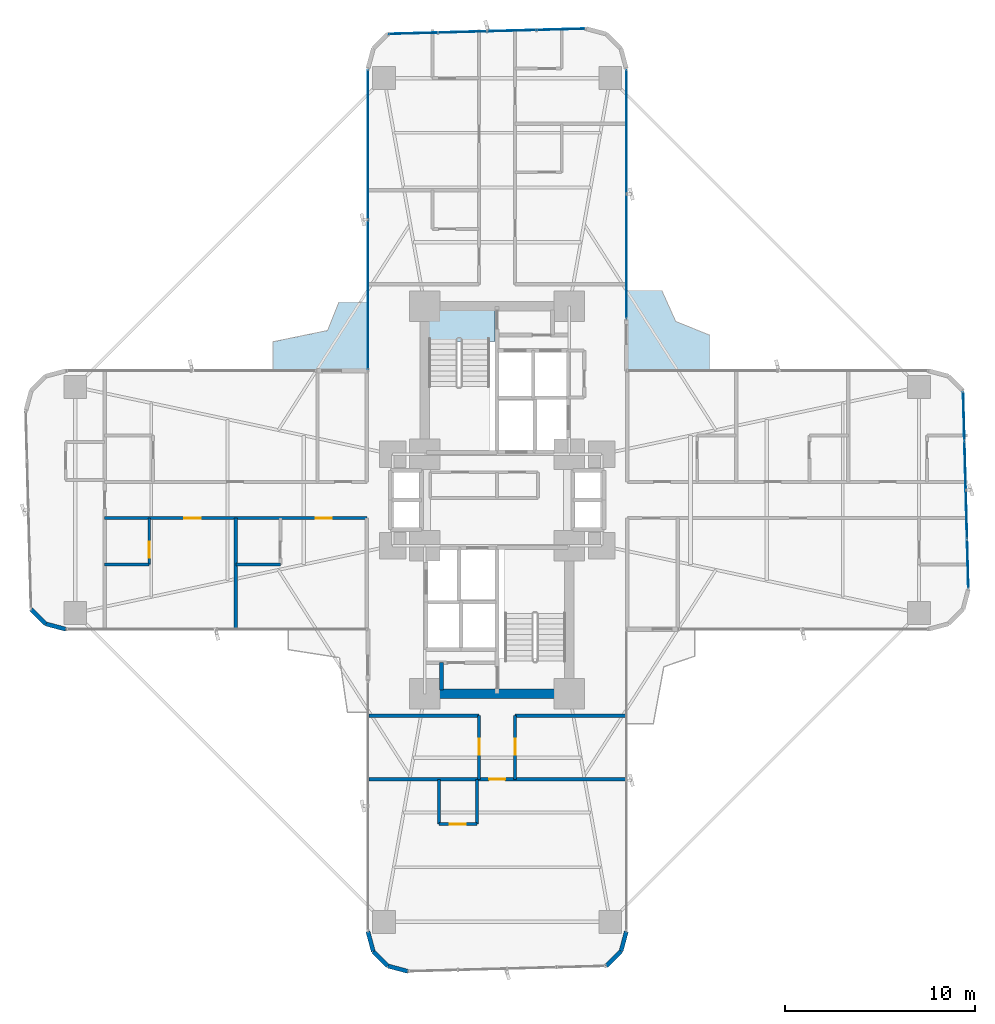
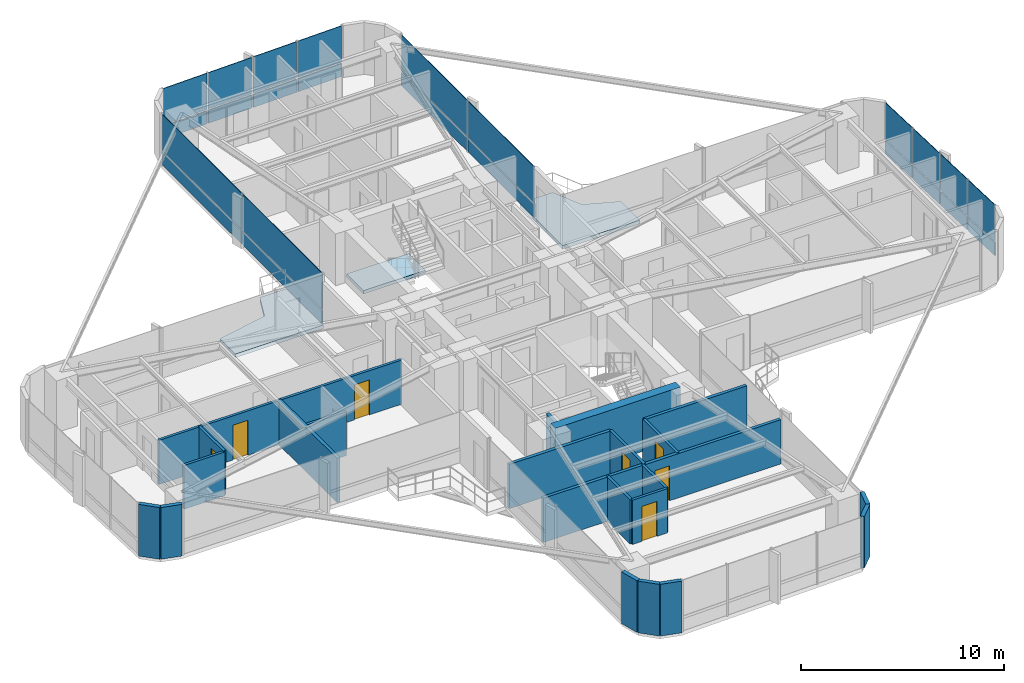
# One storey, part 21 of 26: 24 plates, 22 walls, 7 doors, 3 slabs, 7 openings, 4 elements without a shape of their own.
"""IFC4 building model written with IfcOpenShell, lengths in metres."""

from ifc_helpers import new_model, si_unit, direction, frame, frame_2d, origin, origin_2d, place, context, subcontext, project, spatial, polyline, rectangle, outline, extrude, source, transform, mapped, material, layer, layer_set, type_object, element, fill, aggregate, save


model = new_model("IFC4")

# Units and contexts
model_context = context("Model", 3, precision=1e-05, world=origin(), true_north=direction((0.0, 1.0)))
body_context = subcontext(model_context, "Body", "Model", "MODEL_VIEW")
ifc_project = project(units=[si_unit("LENGTHUNIT", "METRE"), si_unit("AREAUNIT", "SQUARE_METRE"), si_unit("VOLUMEUNIT", "CUBIC_METRE"), si_unit("PLANEANGLEUNIT", "RADIAN"), si_unit("MASSUNIT", "GRAM", prefix="KILO")], contexts=[model_context])

# Site, building, storey
site_placement = place(None, origin())
site = spatial("IfcSite", under=ifc_project, at=site_placement, CompositionType="ELEMENT")
building_placement = place(site_placement, origin())
building = spatial("IfcBuilding", under=site, at=building_placement, Name="Sahyath Konkavel Grand Hotel", CompositionType="ELEMENT")
storey_placement = place(building_placement, frame((0.0, 0.0, 51.050048828125)))
storey = spatial("IfcBuildingStorey", under=building, at=storey_placement, Name="L13", CompositionType="ELEMENT", Elevation=51.050048828125)

# Slabs
ifc_material_1 = material(Name="Concrete C40/50", Category="concrete")
ifc_layer_1 = layer(ifc_material_1, 0.219970703125)
ifc_layer_set_1 = layer_set([ifc_layer_1], Name="Concrete C40/50")
slab_type_1 = type_object("IfcSlabType", Name="SLB-BALCONY-220", PredefinedType="FLOOR", material=ifc_layer_set_1)
slab_1_placement = place(storey_placement, frame((0.0, 0.0, -0.219970703125)))
element("IfcSlab", 1, at=slab_1_placement, inside=storey, type_object=slab_type_1, Name="L13 Winter-Garden Balcony NE", PredefinedType="FLOOR", context=body_context, shape_type="SweptSolid", body=[
    extrude(outline(polyline([(6.800048828125, 6.800048828125), (11.18798828125, 6.800048828125), (11.18798828125, 8.669189453125), (9.39599609375, 9.39599609375), (8.669189453125, 11.011962890625), (6.800048828125, 11.011962890625), (6.800048828125, 6.800048828125)])), origin(), (0.0, 0.0, 1.0), 0.219970703125),
])
slab_2_placement = place(storey_placement, frame((0.0, 0.0, -0.219970703125)))
element("IfcSlab", 2, at=slab_2_placement, inside=storey, type_object=slab_type_1, Name="L13 Winter-Garden Balcony NW", PredefinedType="FLOOR", context=body_context, shape_type="SweptSolid", body=[
    extrude(outline(polyline([(-6.800048828125, 6.800048828125), (-6.800048828125, 10.406005859375), (-8.32568359375, 10.406005859375), (-8.9189453125, 8.9189453125), (-11.7939453125, 8.32568359375), (-11.7939453125, 6.800048828125), (-6.800048828125, 6.800048828125)])), origin(), (0.0, 0.0, 1.0), 0.219970703125),
])
ifc_layer_2 = layer(ifc_material_1, 0.199951171875)
ifc_layer_set_2 = layer_set([ifc_layer_2], Name="Concrete C40/50")
slab_type_2 = type_object("IfcSlabType", Name="SLB-STAIR-LND", PredefinedType="LANDING", material=ifc_layer_set_2)
slab_3_placement = place(storey_placement, frame((0.0, 0.0, -0.199951171875)))
element("IfcSlab", 3, at=slab_3_placement, inside=storey, type_object=slab_type_2, Name="L13 Stair ST-1 Floor Landing Slab", PredefinedType="LANDING", context=body_context, shape_type="SweptSolid", body=[
    extrude(outline(polyline([(-3.6201171875, 8.35009765625), (-0.10009765625, 8.35009765625), (-0.10009765625, 10.02001953125), (-3.6201171875, 10.02001953125), (-3.6201171875, 8.35009765625)])), origin(), (0.0, 0.0, 1.0), 0.199951171875),
])

# Curtain wall, plates
ifc_material_2 = material(Name="Anodised Bronze Aluminium & Low-E Glazing", Category="aluminium")
curtain_wall_type = type_object("IfcCurtainWallType", Name="CW-ZONE1", PredefinedType="NOTDEFINED", material=ifc_material_2)
curtain_wall_1_placement = place(storey_placement, origin())
curtain_wall_1 = element("IfcCurtainWall", 4, at=curtain_wall_1_placement, inside=storey, type_object=curtain_wall_type, Name="L13 Unitised Curtain Wall F15", PredefinedType="NOTDEFINED")
ifc_material_3 = material(Name="Warm Buff Sandstone Cladding", Category="masonry")
ifc_layer_3 = layer(ifc_material_3, 0.074951171875)
ifc_layer_set_3 = layer_set([ifc_layer_3], Name="Warm Buff Sandstone Cladding")
plate_type_1 = type_object("IfcPlateType", Name="PNL-SPANDREL-STONE", PredefinedType="SHEET", material=ifc_layer_set_3)
shared_shape_1 = source(origin(), body_context, "Body", "SweptSolid", [
    extrude(rectangle(XDim=7.830078125, YDim=0.074951171875, at=origin_2d()), origin(), (0.0, 0.0, 1.0), 0.77001953125),
])
plate_1_placement = place(storey_placement, frame((-6.800048828125, 18.705078125, 0.0400390625), z_axis=(0.0, 0.0, 1.0), x_axis=(0.0, -1.0, 0.0)))
plate_1 = element("IfcPlate", 5, at=plate_1_placement, type_object=plate_type_1, Name="L13 Sandstone Relief Spandrel Panel F15-0", PredefinedType="SHEET", context=body_context, shape_type="MappedRepresentation", body=[
    mapped(shared_shape_1, transform((0.0, 0.0, 0.0), scale=1.0)),
])
plate_2_placement = place(storey_placement, frame((-6.800048828125, 10.794921875, 0.0400390625), z_axis=(0.0, 0.0, 1.0), x_axis=(0.0, -1.0, 0.0)))
plate_2 = element("IfcPlate", 6, at=plate_2_placement, type_object=plate_type_1, Name="L13 Sandstone Relief Spandrel Panel F15-1", PredefinedType="SHEET", context=body_context, shape_type="MappedRepresentation", body=[
    mapped(shared_shape_1, transform((0.0, 0.0, 0.0), scale=1.0)),
])
ifc_material_4 = material(Name="Low-E Solar Control Double Glazing", Category="glass")
ifc_layer_4 = layer(ifc_material_4, 0.035888671875)
ifc_layer_set_4 = layer_set([ifc_layer_4], Name="Low-E Solar Control Double Glazing")
plate_type_2 = type_object("IfcPlateType", Name="PNL-VISION-LOWE", PredefinedType="CURTAIN_PANEL", material=ifc_layer_set_4)
shared_shape_2 = source(origin(), body_context, "Body", "SweptSolid", [
    extrude(rectangle(XDim=7.830078125, YDim=0.035888671875, at=origin_2d()), origin(), (0.0, 0.0, 1.0), 2.179931640625),
])
plate_3_placement = place(storey_placement, frame((-6.800048828125, 18.705078125, 0.89013671875), z_axis=(0.0, 0.0, 1.0), x_axis=(0.0, -1.0, 0.0)))
plate_3 = element("IfcPlate", 7, at=plate_3_placement, type_object=plate_type_2, Name="L13 Low-E Vision Glazing Panel F15-0", PredefinedType="CURTAIN_PANEL", context=body_context, shape_type="MappedRepresentation", body=[
    mapped(shared_shape_2, transform((0.0, 0.0, 0.0), scale=1.0)),
])
plate_4_placement = place(storey_placement, frame((-6.800048828125, 10.794921875, 0.89013671875), z_axis=(0.0, 0.0, 1.0), x_axis=(0.0, -1.0, 0.0)))
plate_4 = element("IfcPlate", 8, at=plate_4_placement, type_object=plate_type_2, Name="L13 Low-E Vision Glazing Panel F15-1", PredefinedType="CURTAIN_PANEL", context=body_context, shape_type="MappedRepresentation", body=[
    mapped(shared_shape_2, transform((0.0, 0.0, 0.0), scale=1.0)),
])
aggregate(curtain_wall_1, [plate_1, plate_3, plate_2, plate_4])

curtain_wall_2_placement = place(storey_placement, origin())
curtain_wall_2 = element("IfcCurtainWall", 9, at=curtain_wall_2_placement, inside=storey, type_object=curtain_wall_type, Name="L13 Unitised Curtain Wall F4", PredefinedType="NOTDEFINED")
shared_shape_3 = source(origin(), body_context, "Body", "SweptSolid", [
    extrude(rectangle(XDim=2.513427734375, YDim=0.074951171875, at=origin_2d()), origin(), (0.0, 0.0, 1.0), 0.77001953125),
])
plate_5_placement = place(storey_placement, frame((24.763916015625, -3.36376953125, 0.0400390625), z_axis=(0.0, 0.0, 1.0), x_axis=(-0.026909728301, 0.999637867691, 0.0)))
plate_5 = element("IfcPlate", 10, at=plate_5_placement, type_object=plate_type_1, Name="L13 Sandstone Relief Spandrel Panel F4-0", PredefinedType="SHEET", context=body_context, shape_type="MappedRepresentation", body=[
    mapped(shared_shape_3, transform((0.0, 0.0, 0.0), scale=1.0)),
])
plate_6_placement = place(storey_placement, frame((24.694091796875, -0.771240234375, 0.0400390625), z_axis=(0.0, 0.0, 1.0), x_axis=(-0.026909728301, 0.999637867691, 0.0)))
plate_6 = element("IfcPlate", 11, at=plate_6_placement, type_object=plate_type_1, Name="L13 Sandstone Relief Spandrel Panel F4-1", PredefinedType="SHEET", context=body_context, shape_type="MappedRepresentation", body=[
    mapped(shared_shape_3, transform((0.0, 0.0, 0.0), scale=1.0)),
])
plate_7_placement = place(storey_placement, frame((24.62451171875, 1.8212890625, 0.0400390625), z_axis=(0.0, 0.0, 1.0), x_axis=(-0.026909728301, 0.999637867691, 0.0)))
plate_7 = element("IfcPlate", 12, at=plate_7_placement, type_object=plate_type_1, Name="L13 Sandstone Relief Spandrel Panel F4-2", PredefinedType="SHEET", context=body_context, shape_type="MappedRepresentation", body=[
    mapped(shared_shape_3, transform((0.0, 0.0, 0.0), scale=1.0)),
])
plate_8_placement = place(storey_placement, frame((24.5546875, 4.413818359375, 0.0400390625), z_axis=(0.0, 0.0, 1.0), x_axis=(-0.026909728301, 0.999637867691, 0.0)))
plate_8 = element("IfcPlate", 13, at=plate_8_placement, type_object=plate_type_1, Name="L13 Sandstone Relief Spandrel Panel F4-3", PredefinedType="SHEET", context=body_context, shape_type="MappedRepresentation", body=[
    mapped(shared_shape_3, transform((0.0, 0.0, 0.0), scale=1.0)),
])

curtain_wall_3_placement = place(storey_placement, origin())
curtain_wall_3 = element("IfcCurtainWall", 14, at=curtain_wall_3_placement, inside=storey, type_object=curtain_wall_type, Name="L13 Unitised Curtain Wall F12", PredefinedType="NOTDEFINED")
plate_9_placement = place(storey_placement, frame((3.36376953125, 24.763916015625, 0.0400390625), z_axis=(0.0, 0.0, 1.0), x_axis=(-0.999637867691, -0.026909728301, 0.0)))
plate_9 = element("IfcPlate", 15, at=plate_9_placement, type_object=plate_type_1, Name="L13 Sandstone Relief Spandrel Panel F12-0", PredefinedType="SHEET", context=body_context, shape_type="MappedRepresentation", body=[
    mapped(shared_shape_3, transform((0.0, 0.0, 0.0), scale=1.0)),
])
plate_10_placement = place(storey_placement, frame((0.771240234375, 24.694091796875, 0.0400390625), z_axis=(0.0, 0.0, 1.0), x_axis=(-0.999637867691, -0.026909728301, 0.0)))
plate_10 = element("IfcPlate", 16, at=plate_10_placement, type_object=plate_type_1, Name="L13 Sandstone Relief Spandrel Panel F12-1", PredefinedType="SHEET", context=body_context, shape_type="MappedRepresentation", body=[
    mapped(shared_shape_3, transform((0.0, 0.0, 0.0), scale=1.0)),
])
plate_11_placement = place(storey_placement, frame((-1.8212890625, 24.62451171875, 0.0400390625), z_axis=(0.0, 0.0, 1.0), x_axis=(-0.999637867691, -0.026909728301, 0.0)))
plate_11 = element("IfcPlate", 17, at=plate_11_placement, type_object=plate_type_1, Name="L13 Sandstone Relief Spandrel Panel F12-2", PredefinedType="SHEET", context=body_context, shape_type="MappedRepresentation", body=[
    mapped(shared_shape_3, transform((0.0, 0.0, 0.0), scale=1.0)),
])
plate_12_placement = place(storey_placement, frame((-4.413818359375, 24.5546875, 0.0400390625), z_axis=(0.0, 0.0, 1.0), x_axis=(-0.999637867691, -0.026909728301, 0.0)))
plate_12 = element("IfcPlate", 18, at=plate_12_placement, type_object=plate_type_1, Name="L13 Sandstone Relief Spandrel Panel F12-3", PredefinedType="SHEET", context=body_context, shape_type="MappedRepresentation", body=[
    mapped(shared_shape_3, transform((0.0, 0.0, 0.0), scale=1.0)),
])

# Plate
shared_shape_4 = source(origin(), body_context, "Body", "SweptSolid", [
    extrude(rectangle(XDim=2.513427734375, YDim=0.035888671875, at=origin_2d()), origin(), (0.0, 0.0, 1.0), 2.179931640625),
])
plate_13_placement = place(storey_placement, frame((24.763916015625, -3.36376953125, 0.89013671875), z_axis=(0.0, 0.0, 1.0), x_axis=(-0.026909728301, 0.999637867691, 0.0)))
plate_13 = element("IfcPlate", 19, at=plate_13_placement, type_object=plate_type_2, Name="L13 Low-E Vision Glazing Panel F4-0", PredefinedType="CURTAIN_PANEL", context=body_context, shape_type="MappedRepresentation", body=[
    mapped(shared_shape_4, transform((0.0, 0.0, 0.0), scale=1.0)),
])

plate_14_placement = place(storey_placement, frame((24.694091796875, -0.771240234375, 0.89013671875), z_axis=(0.0, 0.0, 1.0), x_axis=(-0.026909728301, 0.999637867691, 0.0)))
plate_14 = element("IfcPlate", 20, at=plate_14_placement, type_object=plate_type_2, Name="L13 Low-E Vision Glazing Panel F4-1", PredefinedType="CURTAIN_PANEL", context=body_context, shape_type="MappedRepresentation", body=[
    mapped(shared_shape_4, transform((0.0, 0.0, 0.0), scale=1.0)),
])

plate_15_placement = place(storey_placement, frame((24.62451171875, 1.8212890625, 0.89013671875), z_axis=(0.0, 0.0, 1.0), x_axis=(-0.026909728301, 0.999637867691, 0.0)))
plate_15 = element("IfcPlate", 21, at=plate_15_placement, type_object=plate_type_2, Name="L13 Low-E Vision Glazing Panel F4-2", PredefinedType="CURTAIN_PANEL", context=body_context, shape_type="MappedRepresentation", body=[
    mapped(shared_shape_4, transform((0.0, 0.0, 0.0), scale=1.0)),
])

plate_16_placement = place(storey_placement, frame((24.5546875, 4.413818359375, 0.89013671875), z_axis=(0.0, 0.0, 1.0), x_axis=(-0.026909728301, 0.999637867691, 0.0)))
plate_16 = element("IfcPlate", 22, at=plate_16_placement, type_object=plate_type_2, Name="L13 Low-E Vision Glazing Panel F4-3", PredefinedType="CURTAIN_PANEL", context=body_context, shape_type="MappedRepresentation", body=[
    mapped(shared_shape_4, transform((0.0, 0.0, 0.0), scale=1.0)),
])

aggregate(curtain_wall_2, [plate_5, plate_13, plate_6, plate_14, plate_7, plate_15, plate_8, plate_16])

plate_17_placement = place(storey_placement, frame((3.36376953125, 24.763916015625, 0.89013671875), z_axis=(0.0, 0.0, 1.0), x_axis=(-0.999637867691, -0.026909728301, 0.0)))
plate_17 = element("IfcPlate", 23, at=plate_17_placement, type_object=plate_type_2, Name="L13 Low-E Vision Glazing Panel F12-0", PredefinedType="CURTAIN_PANEL", context=body_context, shape_type="MappedRepresentation", body=[
    mapped(shared_shape_4, transform((0.0, 0.0, 0.0), scale=1.0)),
])

plate_18_placement = place(storey_placement, frame((0.771240234375, 24.694091796875, 0.89013671875), z_axis=(0.0, 0.0, 1.0), x_axis=(-0.999637867691, -0.026909728301, 0.0)))
plate_18 = element("IfcPlate", 24, at=plate_18_placement, type_object=plate_type_2, Name="L13 Low-E Vision Glazing Panel F12-1", PredefinedType="CURTAIN_PANEL", context=body_context, shape_type="MappedRepresentation", body=[
    mapped(shared_shape_4, transform((0.0, 0.0, 0.0), scale=1.0)),
])

plate_19_placement = place(storey_placement, frame((-1.8212890625, 24.62451171875, 0.89013671875), z_axis=(0.0, 0.0, 1.0), x_axis=(-0.999637867691, -0.026909728301, 0.0)))
plate_19 = element("IfcPlate", 25, at=plate_19_placement, type_object=plate_type_2, Name="L13 Low-E Vision Glazing Panel F12-2", PredefinedType="CURTAIN_PANEL", context=body_context, shape_type="MappedRepresentation", body=[
    mapped(shared_shape_4, transform((0.0, 0.0, 0.0), scale=1.0)),
])

plate_20_placement = place(storey_placement, frame((-4.413818359375, 24.5546875, 0.89013671875), z_axis=(0.0, 0.0, 1.0), x_axis=(-0.999637867691, -0.026909728301, 0.0)))
plate_20 = element("IfcPlate", 26, at=plate_20_placement, type_object=plate_type_2, Name="L13 Low-E Vision Glazing Panel F12-3", PredefinedType="CURTAIN_PANEL", context=body_context, shape_type="MappedRepresentation", body=[
    mapped(shared_shape_4, transform((0.0, 0.0, 0.0), scale=1.0)),
])

aggregate(curtain_wall_3, [plate_9, plate_17, plate_10, plate_18, plate_11, plate_19, plate_12, plate_20])

# Curtain wall, plates
curtain_wall_4_placement = place(storey_placement, origin())
curtain_wall_4 = element("IfcCurtainWall", 27, at=curtain_wall_4_placement, inside=storey, type_object=curtain_wall_type, Name="L13 Unitised Curtain Wall F8", PredefinedType="NOTDEFINED")
shared_shape_5 = source(origin(), body_context, "Body", "SweptSolid", [
    extrude(rectangle(XDim=6.47998046875, YDim=0.074951171875, at=origin_2d()), origin(), (0.0, 0.0, 1.0), 0.77001953125),
])
plate_21_placement = place(storey_placement, frame((6.800048828125, 12.820068359375, 0.0400390625), z_axis=(0.0, 0.0, 1.0), x_axis=(0.0, 1.0, 0.0)))
plate_21 = element("IfcPlate", 28, at=plate_21_placement, type_object=plate_type_1, Name="L13 Sandstone Relief Spandrel Panel F8-0", PredefinedType="SHEET", context=body_context, shape_type="MappedRepresentation", body=[
    mapped(shared_shape_5, transform((0.0, 0.0, 0.0), scale=1.0)),
])
plate_22_placement = place(storey_placement, frame((6.800048828125, 19.3798828125, 0.0400390625), z_axis=(0.0, 0.0, 1.0), x_axis=(0.0, 1.0, 0.0)))
plate_22 = element("IfcPlate", 29, at=plate_22_placement, type_object=plate_type_1, Name="L13 Sandstone Relief Spandrel Panel F8-1", PredefinedType="SHEET", context=body_context, shape_type="MappedRepresentation", body=[
    mapped(shared_shape_5, transform((0.0, 0.0, 0.0), scale=1.0)),
])
shared_shape_6 = source(origin(), body_context, "Body", "SweptSolid", [
    extrude(rectangle(XDim=6.47998046875, YDim=0.035888671875, at=origin_2d()), origin(), (0.0, 0.0, 1.0), 2.179931640625),
])
plate_23_placement = place(storey_placement, frame((6.800048828125, 12.820068359375, 0.89013671875), z_axis=(0.0, 0.0, 1.0), x_axis=(0.0, 1.0, 0.0)))
plate_23 = element("IfcPlate", 30, at=plate_23_placement, type_object=plate_type_2, Name="L13 Low-E Vision Glazing Panel F8-0", PredefinedType="CURTAIN_PANEL", context=body_context, shape_type="MappedRepresentation", body=[
    mapped(shared_shape_6, transform((0.0, 0.0, 0.0), scale=1.0)),
])
plate_24_placement = place(storey_placement, frame((6.800048828125, 19.3798828125, 0.89013671875), z_axis=(0.0, 0.0, 1.0), x_axis=(0.0, 1.0, 0.0)))
plate_24 = element("IfcPlate", 31, at=plate_24_placement, type_object=plate_type_2, Name="L13 Low-E Vision Glazing Panel F8-1", PredefinedType="CURTAIN_PANEL", context=body_context, shape_type="MappedRepresentation", body=[
    mapped(shared_shape_6, transform((0.0, 0.0, 0.0), scale=1.0)),
])
aggregate(curtain_wall_4, [plate_21, plate_23, plate_22, plate_24])

# Walls
ifc_material_5 = material(Name="Concrete C70/85", Category="concrete")
ifc_layer_5 = layer(ifc_material_5, 0.5)
ifc_layer_set_5 = layer_set([ifc_layer_5], Name="Concrete C70/85")
wall_type_1 = type_object("IfcWallType", Name="CWALL-500", PredefinedType="SHEAR", material=ifc_layer_set_5)
wall_1_placement = place(storey_placement, frame((-3.550048828125, -10.199951171875, 0.0), z_axis=(0.0, 0.0, 1.0), x_axis=(1.0, 0.0, 0.0)))
element("IfcWall", 32, at=wall_1_placement, inside=storey, type_object=wall_type_1, Name="L13 South Core Shear Wall S", PredefinedType="SHEAR", context=body_context, shape_type="SweptSolid", body=[
    extrude(rectangle(XDim=7.10009765625, YDim=0.5, at=frame_2d((3.550048828125, 0.0))), origin(), (0.0, 0.0, 1.0), 3.10986328125),
])
ifc_material_6 = material(Name="Warm Buff Sandstone Insulated Concrete C40/50", Category="masonry")
ifc_layer_6 = layer(ifc_material_6, 0.219970703125)
ifc_layer_set_6 = layer_set([ifc_layer_6], Name="Warm Buff Sandstone Insulated Concrete C40/50")
wall_type_2 = type_object("IfcWallType", Name="WLL-BALC-THRESH", PredefinedType="STANDARD", material=ifc_layer_set_6)
for number, where, z_axis, x_axis, name in (
    (33, (-24.518798828125, -5.75, 0.0), (0.0, 0.0, 1.0), (0.707106781187, -0.707106781187, 0.0), "L13 Rounded Corner Sandstone Pier 21"),
    (34, (-23.75, -6.518798828125, 0.0), (0.0, 0.0, 1.0), (0.965951058412, -0.25872485917, 0.0), "L13 Rounded Corner Sandstone Pier 22"),
    (35, (-6.800048828125, -22.699951171875, 0.0), (0.0, 0.0, 1.0), (0.25872485917, -0.965951058412, 0.0), "L13 Rounded Corner Sandstone Pier 25"),
    (36, (-6.518798828125, -23.75, 0.0), (0.0, 0.0, 1.0), (0.707106781187, -0.707106781187, 0.0), "L13 Rounded Corner Sandstone Pier 26"),
    (37, (-5.75, -24.518798828125, 0.0), (0.0, 0.0, 1.0), (0.965951058412, -0.25872485917, 0.0), "L13 Rounded Corner Sandstone Pier 27"),
    (38, (5.75, -24.518798828125, 0.0), (0.0, 0.0, 1.0), (0.707106781187, 0.707106781187, 0.0), "L13 Rounded Corner Sandstone Pier 29"),
    (39, (6.518798828125, -23.75, 0.0), (0.0, 0.0, 1.0), (0.25872485917, 0.965951058412, 0.0), "L13 Rounded Corner Sandstone Pier 30"),
):
    element("IfcWall", number, at=place(storey_placement, frame(where, z_axis=z_axis, x_axis=x_axis)), inside=storey, type_object=wall_type_2, Name=name, PredefinedType="STANDARD", context=body_context, shape_type="SweptSolid", body=[
        extrude(rectangle(XDim=1.087158203125, YDim=0.219970703125, at=frame_2d((0.54345703125, 0.0))), origin(), (0.0, 0.0, 1.0), 3.10986328125),
    ])
ifc_layer_7 = layer(ifc_material_1, 0.199951171875)
ifc_layer_set_7 = layer_set([ifc_layer_7], Name="Concrete C40/50")
wall_type_3 = type_object("IfcWallType", Name="WLL-CORE-200", PredefinedType="SOLIDWALL", material=ifc_layer_set_7)
wall_2_placement = place(storey_placement, frame((-2.919921875, -10.0, 0.0), z_axis=(0.0, 0.0, 1.0), x_axis=(0.0, 1.0, 0.0)))
element("IfcWall", 40, at=wall_2_placement, inside=storey, type_object=wall_type_3, Name="L13 Partition SFF-W2", PredefinedType="SOLIDWALL", context=body_context, shape_type="SweptSolid", body=[
    extrude(rectangle(XDim=1.43994140625, YDim=0.199951171875, at=frame_2d((0.719970703125, 0.0))), origin(), (0.0, 0.0, 1.0), 2.659912109375),
])
ifc_material_7 = material(Name="Twin-Stud Acoustic Gypsum Plasterboard Partition")
ifc_layer_8 = layer(ifc_material_7, 0.179931640625)
ifc_layer_set_8 = layer_set([ifc_layer_8], Name="Twin-Stud Acoustic Gypsum Plasterboard Partition")
wall_type_4 = type_object("IfcWallType", Name="WLL-DEMISE-180", PredefinedType="PARTITIONING", material=ifc_layer_set_8)
for number, where, z_axis, x_axis, name in (
    (41, (-13.75, -0.949951171875, 0.0), (0.0, 0.0, 1.0), (0.0, -1.0, 0.0), "L13 Partition W-W4L1-DEM"),
    (42, (0.949951171875, -11.35009765625, 0.0), (0.0, 0.0, 1.0), (1.0, 0.0, 0.0), "L13 Partition S-INL"),
    (43, (-6.75, -11.35009765625, 0.0), (0.0, 0.0, 1.0), (1.0, 0.0, 0.0), "L13 Partition S-INR"),
):
    element("IfcWall", number, at=place(storey_placement, frame(where, z_axis=z_axis, x_axis=x_axis)), inside=storey, type_object=wall_type_4, Name=name, PredefinedType="PARTITIONING", context=body_context, shape_type="SweptSolid", body=[
        extrude(rectangle(XDim=5.800048828125, YDim=0.179931640625, at=frame_2d((2.89990234375, 0.0))), origin(), (0.0, 0.0, 1.0), 2.659912109375),
    ])

# Wall, opening, door
wall_3_placement = place(storey_placement, frame((-6.75, -14.699951171875, 0.0), z_axis=(0.0, 0.0, 1.0), x_axis=(1.0, 0.0, 0.0)))
wall_3 = element("IfcWall", 44, at=wall_3_placement, inside=storey, type_object=wall_type_4, Name="L13 Partition S-STIP-END", PredefinedType="PARTITIONING", context=body_context, shape_type="SweptSolid", body=[
    extrude(rectangle(XDim=13.5, YDim=0.179931640625, at=frame_2d((6.75, 0.0))), origin(), (0.0, 0.0, 1.0), 2.659912109375),
])
opening_1_placement = place(wall_3_placement, frame((6.324951171875, 0.0, 0.0)))
opening_1 = element("IfcOpeningElement", 45, at=opening_1_placement, cuts=wall_3, Name="Opening D-F06D", PredefinedType="OPENING", context=body_context, shape_type="SweptSolid", body=[
    extrude(rectangle(XDim=0.85009765625, YDim=2.10009765625, at=frame_2d((0.425048828125, 1.050048828125))), frame((0.0, 0.10009765625, 0.0), z_axis=(0.0, -1.0, 0.0), x_axis=(1.0, 0.0, 0.0)), (0.0, 0.0, 1.0), 0.199951171875),
])
ifc_material_8 = material(Name="Fire-Rated Shaft Access Door")
door_type_1 = type_object("IfcDoorType", Name="DR-FD60-850", OperationType="NOTDEFINED", PredefinedType="DOOR", material=ifc_material_8)
shared_shape_7 = source(origin(), body_context, "Body", "SweptSolid", [
    extrude(rectangle(XDim=0.85009765625, YDim=0.050048828125, at=origin_2d()), origin(), (0.0, 0.0, 1.0), 2.10009765625),
])
door_1_placement = place(opening_1_placement, frame((0.425048828125, 0.0, 0.0)))
door_1 = element("IfcDoor", 46, at=door_1_placement, inside=storey, type_object=door_type_1, Name="L13 Door S-STIP-ED", OperationType="SINGLE_SWING_LEFT", OverallHeight=2.10009765625, OverallWidth=0.85009765625, PredefinedType="DOOR", context=body_context, shape_type="MappedRepresentation", body=[
    mapped(shared_shape_7, transform((0.0, 0.0, 0.0), scale=1.0)),
])
fill(opening_1, door_1)

# Wall, openings, doors
ifc_material_9 = material(Name="Fire-Rated Gypsum Plasterboard Partition")
ifc_layer_9 = layer(ifc_material_9, 0.14990234375)
ifc_layer_set_9 = layer_set([ifc_layer_9], Name="Fire-Rated Gypsum Plasterboard Partition")
wall_type_5 = type_object("IfcWallType", Name="WLL-PART-150", PredefinedType="PARTITIONING", material=ifc_layer_set_9)
wall_4_placement = place(storey_placement, frame((-6.85009765625, -0.949951171875, 0.0), z_axis=(0.0, 0.0, 1.0), x_axis=(-1.0, 0.0, 0.0)))
wall_4 = element("IfcWall", 47, at=wall_4_placement, inside=storey, type_object=wall_type_5, Name="L13 Partition W-CL", PredefinedType="PARTITIONING", context=body_context, shape_type="SweptSolid", body=[
    extrude(rectangle(XDim=13.7998046875, YDim=0.14990234375, at=frame_2d((6.89990234375, 0.0))), origin(), (0.0, 0.0, 1.0), 2.659912109375),
])
opening_2_placement = place(wall_4_placement, frame((1.85205078125, 0.0, 0.0)))
opening_2 = element("IfcOpeningElement", 48, at=opening_2_placement, cuts=wall_4, Name="Opening D-F06D", PredefinedType="OPENING", context=body_context, shape_type="SweptSolid", body=[
    extrude(rectangle(XDim=0.85009765625, YDim=2.10009765625, at=frame_2d((0.425048828125, 1.050048828125))), frame((0.0, 0.0849609375, 0.0), z_axis=(0.0, -1.0, 0.0), x_axis=(1.0, 0.0, 0.0)), (0.0, 0.0, 1.0), 0.169921875),
])
opening_3_placement = place(wall_4_placement, frame((8.751953125, 0.0, 0.0)))
opening_3 = element("IfcOpeningElement", 49, at=opening_3_placement, cuts=wall_4, Name="Opening D-F06D", PredefinedType="OPENING", context=body_context, shape_type="SweptSolid", body=[
    extrude(rectangle(XDim=0.85009765625, YDim=2.10009765625, at=frame_2d((0.425048828125, 1.050048828125))), frame((0.0, 0.0849609375, 0.0), z_axis=(0.0, -1.0, 0.0), x_axis=(1.0, 0.0, 0.0)), (0.0, 0.0, 1.0), 0.169921875),
])
door_2_placement = place(opening_2_placement, frame((0.425048828125, 0.0, 0.0)))
door_2 = element("IfcDoor", 50, at=door_2_placement, inside=storey, type_object=door_type_1, Name="L13 Door W-W4L1-ED", OperationType="SINGLE_SWING_RIGHT", OverallHeight=2.10009765625, OverallWidth=0.85009765625, PredefinedType="DOOR", context=body_context, shape_type="MappedRepresentation", body=[
    mapped(shared_shape_7, transform((0.0, 0.0, 0.0), scale=1.0)),
])
fill(opening_2, door_2)
door_3_placement = place(opening_3_placement, frame((0.425048828125, 0.0, 0.0)))
door_3 = element("IfcDoor", 51, at=door_3_placement, inside=storey, type_object=door_type_1, Name="L13 Door W-W4L2-ED", OperationType="SINGLE_SWING_RIGHT", OverallHeight=2.10009765625, OverallWidth=0.85009765625, PredefinedType="DOOR", context=body_context, shape_type="MappedRepresentation", body=[
    mapped(shared_shape_7, transform((0.0, 0.0, 0.0), scale=1.0)),
])
fill(opening_3, door_3)

# Wall
wall_5_placement = place(storey_placement, frame((-11.404052734375, -3.39990234375, 0.0), z_axis=(0.0, 0.0, 1.0), x_axis=(-1.0, 0.0, 0.0)))
element("IfcWall", 52, at=wall_5_placement, inside=storey, type_object=wall_type_5, Name="L13 Partition W-W4L1-BF", PredefinedType="PARTITIONING", context=body_context, shape_type="SweptSolid", body=[
    extrude(rectangle(XDim=2.345947265625, YDim=0.14990234375, at=frame_2d((1.1728515625, 0.0))), origin(), (0.0, 0.0, 1.0), 2.6298828125),
])

# Wall, opening, door
wall_6_placement = place(storey_placement, frame((-18.303955078125, -0.949951171875, 0.0), z_axis=(0.0, 0.0, 1.0), x_axis=(0.0, -1.0, 0.0)))
wall_6 = element("IfcWall", 53, at=wall_6_placement, inside=storey, type_object=wall_type_5, Name="L13 Partition W-W4L2-BS", PredefinedType="PARTITIONING", context=body_context, shape_type="SweptSolid", body=[
    extrude(rectangle(XDim=2.449951171875, YDim=0.14990234375, at=frame_2d((1.22509765625, 0.0))), origin(), (0.0, 0.0, 1.0), 2.659912109375),
])
opening_4_placement = place(wall_6_placement, frame((1.25, 0.0, 0.0)))
opening_4 = element("IfcOpeningElement", 54, at=opening_4_placement, cuts=wall_6, Name="Opening D-BT85", PredefinedType="OPENING", context=body_context, shape_type="SweptSolid", body=[
    extrude(rectangle(XDim=0.85009765625, YDim=2.10009765625, at=frame_2d((0.425048828125, 1.050048828125))), frame((0.0, 0.0849609375, 0.0), z_axis=(0.0, -1.0, 0.0), x_axis=(1.0, 0.0, 0.0)), (0.0, 0.0, 1.0), 0.169921875),
])
ifc_material_10 = material(Name="Moisture-Resistant Teak Bathroom Door")
door_type_2 = type_object("IfcDoorType", Name="DR-BATH-850", OperationType="NOTDEFINED", PredefinedType="DOOR", material=ifc_material_10)
door_4_placement = place(opening_4_placement, frame((0.425048828125, 0.0, 0.0)))
door_4 = element("IfcDoor", 55, at=door_4_placement, inside=storey, type_object=door_type_2, Name="L13 Door W-W4L2-BD", OperationType="SINGLE_SWING_LEFT", OverallHeight=2.10009765625, OverallWidth=0.85009765625, PredefinedType="DOOR", context=body_context, shape_type="MappedRepresentation", body=[
    mapped(shared_shape_7, transform((0.0, 0.0, 0.0), scale=1.0)),
])
fill(opening_4, door_4)

# Wall
wall_7_placement = place(storey_placement, frame((-18.303955078125, -3.39990234375, 0.0), z_axis=(0.0, 0.0, 1.0), x_axis=(-1.0, 0.0, 0.0)))
element("IfcWall", 56, at=wall_7_placement, inside=storey, type_object=wall_type_5, Name="L13 Partition W-W4L2-BF", PredefinedType="PARTITIONING", context=body_context, shape_type="SweptSolid", body=[
    extrude(rectangle(XDim=2.345947265625, YDim=0.14990234375, at=frame_2d((1.1728515625, 0.0))), origin(), (0.0, 0.0, 1.0), 2.6298828125),
])

# Wall, opening, door
wall_8_placement = place(storey_placement, frame((0.949951171875, -11.35009765625, 0.0), z_axis=(0.0, 0.0, 1.0), x_axis=(0.0, -1.0, 0.0)))
wall_8 = element("IfcWall", 57, at=wall_8_placement, inside=storey, type_object=wall_type_5, Name="L13 Partition S-CL", PredefinedType="PARTITIONING", context=body_context, shape_type="SweptSolid", body=[
    extrude(rectangle(XDim=3.349853515625, YDim=0.14990234375, at=frame_2d((1.6748046875, 0.0))), origin(), (0.0, 0.0, 1.0), 2.659912109375),
])
opening_5_placement = place(wall_8_placement, frame((1.199951171875, 0.0, 0.0)))
opening_5 = element("IfcOpeningElement", 58, at=opening_5_placement, cuts=wall_8, Name="Opening D-F06D", PredefinedType="OPENING", context=body_context, shape_type="SweptSolid", body=[
    extrude(rectangle(XDim=0.85009765625, YDim=2.10009765625, at=frame_2d((0.425048828125, 1.050048828125))), frame((0.0, 0.0849609375, 0.0), z_axis=(0.0, -1.0, 0.0), x_axis=(1.0, 0.0, 0.0)), (0.0, 0.0, 1.0), 0.169921875),
])
door_5_placement = place(opening_5_placement, frame((0.425048828125, 0.0, 0.0)))
door_5 = element("IfcDoor", 59, at=door_5_placement, inside=storey, type_object=door_type_1, Name="L13 Door S-SS3L-D", OperationType="SINGLE_SWING_RIGHT", OverallHeight=2.10009765625, OverallWidth=0.85009765625, PredefinedType="DOOR", context=body_context, shape_type="MappedRepresentation", body=[
    mapped(shared_shape_7, transform((0.0, 0.0, 0.0), scale=1.0)),
])
fill(opening_5, door_5)

wall_9_placement = place(storey_placement, frame((-0.949951171875, -11.35009765625, 0.0), z_axis=(0.0, 0.0, 1.0), x_axis=(0.0, -1.0, 0.0)))
wall_9 = element("IfcWall", 60, at=wall_9_placement, inside=storey, type_object=wall_type_5, Name="L13 Partition S-CR", PredefinedType="PARTITIONING", context=body_context, shape_type="SweptSolid", body=[
    extrude(rectangle(XDim=3.349853515625, YDim=0.14990234375, at=frame_2d((1.6748046875, 0.0))), origin(), (0.0, 0.0, 1.0), 2.659912109375),
])
opening_6_placement = place(wall_9_placement, frame((1.199951171875, 0.0, 0.0)))
opening_6 = element("IfcOpeningElement", 61, at=opening_6_placement, cuts=wall_9, Name="Opening D-F06D", PredefinedType="OPENING", context=body_context, shape_type="SweptSolid", body=[
    extrude(rectangle(XDim=0.85009765625, YDim=2.10009765625, at=frame_2d((0.425048828125, 1.050048828125))), frame((0.0, 0.0849609375, 0.0), z_axis=(0.0, -1.0, 0.0), x_axis=(1.0, 0.0, 0.0)), (0.0, 0.0, 1.0), 0.169921875),
])
door_6_placement = place(opening_6_placement, frame((0.425048828125, 0.0, 0.0)))
door_6 = element("IfcDoor", 62, at=door_6_placement, inside=storey, type_object=door_type_1, Name="L13 Door S-SS3R-D", OperationType="SINGLE_SWING_LEFT", OverallHeight=2.10009765625, OverallWidth=0.85009765625, PredefinedType="DOOR", context=body_context, shape_type="MappedRepresentation", body=[
    mapped(shared_shape_7, transform((0.0, 0.0, 0.0), scale=1.0)),
])
fill(opening_6, door_6)

# Walls
for number, where, z_axis, x_axis, name in (
    (63, (-1.050048828125, -14.699951171875, 0.0), (0.0, 0.0, 1.0), (0.0, -1.0, 0.0), "L13 Partition S-STIP-BN"),
    (64, (-3.050048828125, -14.699951171875, 0.0), (0.0, 0.0, 1.0), (0.0, -1.0, 0.0), "L13 Partition S-STIP-BS"),
):
    element("IfcWall", number, at=place(storey_placement, frame(where, z_axis=z_axis, x_axis=x_axis)), inside=storey, type_object=wall_type_5, Name=name, PredefinedType="PARTITIONING", context=body_context, shape_type="SweptSolid", body=[
        extrude(rectangle(XDim=2.35009765625, YDim=0.14990234375, at=frame_2d((1.175048828125, 0.0))), origin(), (0.0, 0.0, 1.0), 2.659912109375),
    ])

# Wall, opening, door
wall_10_placement = place(storey_placement, frame((-3.050048828125, -17.050048828125, 0.0), z_axis=(0.0, 0.0, 1.0), x_axis=(1.0, 0.0, 0.0)))
wall_10 = element("IfcWall", 65, at=wall_10_placement, inside=storey, type_object=wall_type_5, Name="L13 Partition S-STIP-BE", PredefinedType="PARTITIONING", context=body_context, shape_type="SweptSolid", body=[
    extrude(rectangle(XDim=2.0, YDim=0.14990234375, at=frame_2d((1.0, 0.0))), origin(), (0.0, 0.0, 1.0), 2.659912109375),
])
opening_7_placement = place(wall_10_placement, frame((0.550048828125, 0.0, 0.0)))
opening_7 = element("IfcOpeningElement", 66, at=opening_7_placement, cuts=wall_10, Name="Opening D-BT85", PredefinedType="OPENING", context=body_context, shape_type="SweptSolid", body=[
    extrude(rectangle(XDim=0.85009765625, YDim=2.10009765625, at=frame_2d((0.425048828125, 1.050048828125))), frame((0.0, 0.0849609375, 0.0), z_axis=(0.0, -1.0, 0.0), x_axis=(1.0, 0.0, 0.0)), (0.0, 0.0, 1.0), 0.169921875),
])
door_7_placement = place(opening_7_placement, frame((0.425048828125, 0.0, 0.0)))
door_7 = element("IfcDoor", 67, at=door_7_placement, inside=storey, type_object=door_type_2, Name="L13 Door S-STIP-BD", OperationType="SINGLE_SWING_RIGHT", OverallHeight=2.10009765625, OverallWidth=0.85009765625, PredefinedType="DOOR", context=body_context, shape_type="MappedRepresentation", body=[
    mapped(shared_shape_7, transform((0.0, 0.0, 0.0), scale=1.0)),
])
fill(opening_7, door_7)

save(model, "model.ifc")
